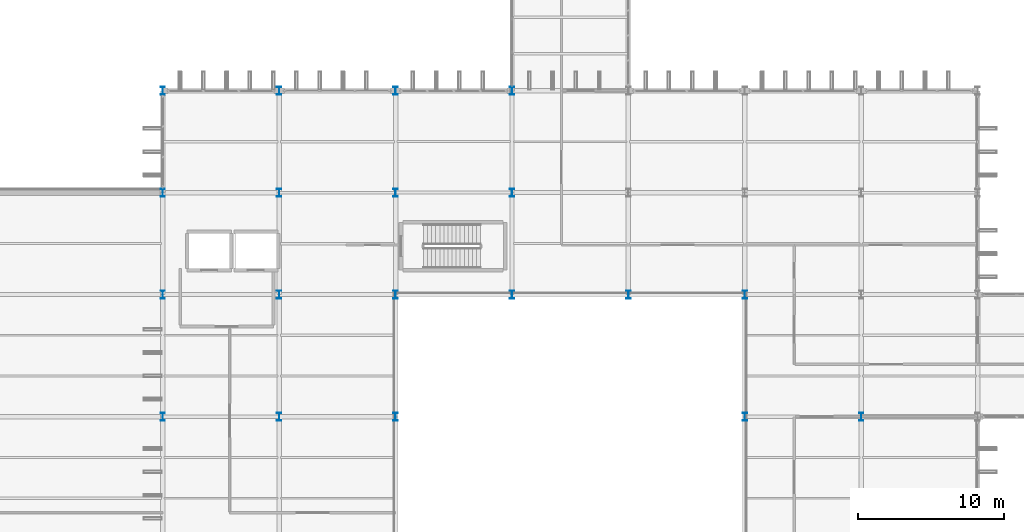
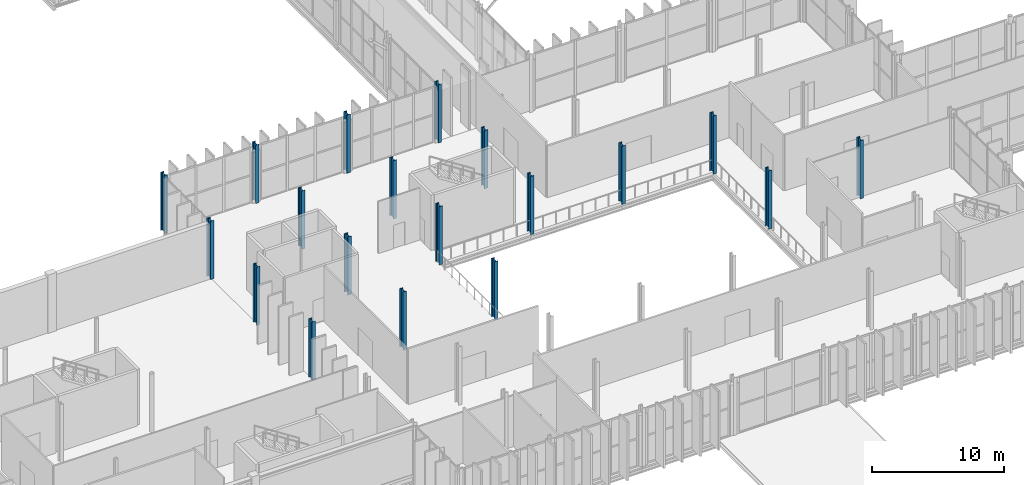
# One storey, part 12 of 147: 19 columns.
"""IFC4 building model written with IfcOpenShell, lengths in metres."""

from ifc_helpers import new_model, si_unit, direction, frame, origin, origin_2d, place, context, subcontext, project, spatial, i_section, extrude, material, material_profile, profile_set, type_object, element, save


model = new_model("IFC4")

# Units and contexts
model_context = context("Model", 3, precision=1e-05, world=origin(), true_north=direction((0.0, 1.0)))
body_context = subcontext(model_context, "Body", "Model", "MODEL_VIEW")
ifc_project = project(units=[si_unit("LENGTHUNIT", "METRE"), si_unit("AREAUNIT", "SQUARE_METRE"), si_unit("VOLUMEUNIT", "CUBIC_METRE"), si_unit("PLANEANGLEUNIT", "RADIAN"), si_unit("MASSUNIT", "GRAM", prefix="KILO")], contexts=[model_context])

# Site, building, storey
site_placement = place(None, origin())
site = spatial("IfcSite", under=ifc_project, at=site_placement, CompositionType="ELEMENT")
building_placement = place(site_placement, origin())
building = spatial("IfcBuilding", under=site, at=building_placement, Name="Vekula Escarpment Museum", CompositionType="ELEMENT")
storey_placement = place(building_placement, frame((0.0, 0.0, 7.800048828125)))
storey = spatial("IfcBuildingStorey", under=building, at=storey_placement, Name="L02", CompositionType="ELEMENT", Elevation=7.800048828125)

# Columns
ifc_material = material(Name="Steel S355", Category="steel")
ifc_material_profile = material_profile(ifc_material, i_section(OverallWidth=0.300048828125, OverallDepth=0.550048828125, WebThickness=0.014892578125, FlangeThickness=0.029052734375, FilletRadius=0.027099609375, at=origin_2d()), Name="HEB 550")
ifc_profile_set = profile_set([ifc_material_profile], Name="Steel S355")
column_type = type_object("IfcColumnType", Name="COL-S-HEB550", PredefinedType="COLUMN", material=ifc_profile_set)
for number, where, z_axis, x_axis, name in (
    (1, (70.0, 68.0, 0.0), (0.0, 0.0, 1.0), (1.0, 0.0, 0.0), "Column L02 (70.0,68.0)"),
    (2, (70.0, 76.39990234375, 0.0), (0.0, 0.0, 1.0), (1.0, 0.0, 0.0), "Column L02 (70.0,76.4)"),
    (3, (70.0, 83.39990234375, 0.0), (0.0, 0.0, 1.0), (1.0, 0.0, 0.0), "Column L02 (70.0,83.4)"),
    (4, (70.0, 90.39990234375, 0.0), (0.0, 0.0, 1.0), (1.0, 0.0, 0.0), "Column L02 (70.0,90.4)"),
    (5, (78.0, 68.0, 0.0), (0.0, 0.0, 1.0), (1.0, 0.0, 0.0), "Column L02 (78.0,68.0)"),
    (6, (78.0, 76.39990234375, 0.0), (0.0, 0.0, 1.0), (1.0, 0.0, 0.0), "Column L02 (78.0,76.4)"),
    (7, (78.0, 83.39990234375, 0.0), (0.0, 0.0, 1.0), (1.0, 0.0, 0.0), "Column L02 (78.0,83.4)"),
    (8, (78.0, 90.39990234375, 0.0), (0.0, 0.0, 1.0), (1.0, 0.0, 0.0), "Column L02 (78.0,90.4)"),
    (9, (86.0, 68.0, 0.0), (0.0, 0.0, 1.0), (1.0, 0.0, 0.0), "Column L02 (86.0,68.0)"),
    (10, (86.0, 76.39990234375, 0.0), (0.0, 0.0, 1.0), (1.0, 0.0, 0.0), "Column L02 (86.0,76.4)"),
    (11, (86.0, 83.39990234375, 0.0), (0.0, 0.0, 1.0), (1.0, 0.0, 0.0), "Column L02 (86.0,83.4)"),
    (12, (86.0, 90.39990234375, 0.0), (0.0, 0.0, 1.0), (1.0, 0.0, 0.0), "Column L02 (86.0,90.4)"),
    (13, (94.0, 76.39990234375, 0.0), (0.0, 0.0, 1.0), (1.0, 0.0, 0.0), "Column L02 (94.0,76.4)"),
    (14, (94.0, 83.39990234375, 0.0), (0.0, 0.0, 1.0), (1.0, 0.0, 0.0), "Column L02 (94.0,83.4)"),
    (15, (94.0, 90.39990234375, 0.0), (0.0, 0.0, 1.0), (1.0, 0.0, 0.0), "Column L02 (94.0,90.4)"),
    (16, (102.0, 76.39990234375, 0.0), (0.0, 0.0, 1.0), (1.0, 0.0, 0.0), "Column L02 (102.0,76.4)"),
    (17, (110.0, 68.0, 0.0), (0.0, 0.0, 1.0), (1.0, 0.0, 0.0), "Column L02 (110.0,68.0)"),
    (18, (110.0, 76.39990234375, 0.0), (0.0, 0.0, 1.0), (1.0, 0.0, 0.0), "Column L02 (110.0,76.4)"),
    (19, (118.0, 68.0, 0.0), (0.0, 0.0, 1.0), (1.0, 0.0, 0.0), "Column L02 (118.0,68.0)"),
):
    element("IfcColumn", number, at=place(storey_placement, frame(where, z_axis=z_axis, x_axis=x_axis)), inside=storey, type_object=column_type, Name=name, PredefinedType="COLUMN", context=body_context, shape_type="SweptSolid", body=[
        extrude(i_section(OverallWidth=0.300048828125, OverallDepth=0.550048828125, WebThickness=0.014892578125, FlangeThickness=0.029052734375, FilletRadius=0.027099609375, at=origin_2d()), origin(), (0.0, 0.0, 1.0), 5.39990234375),
    ])

save(model, "model.ifc")
